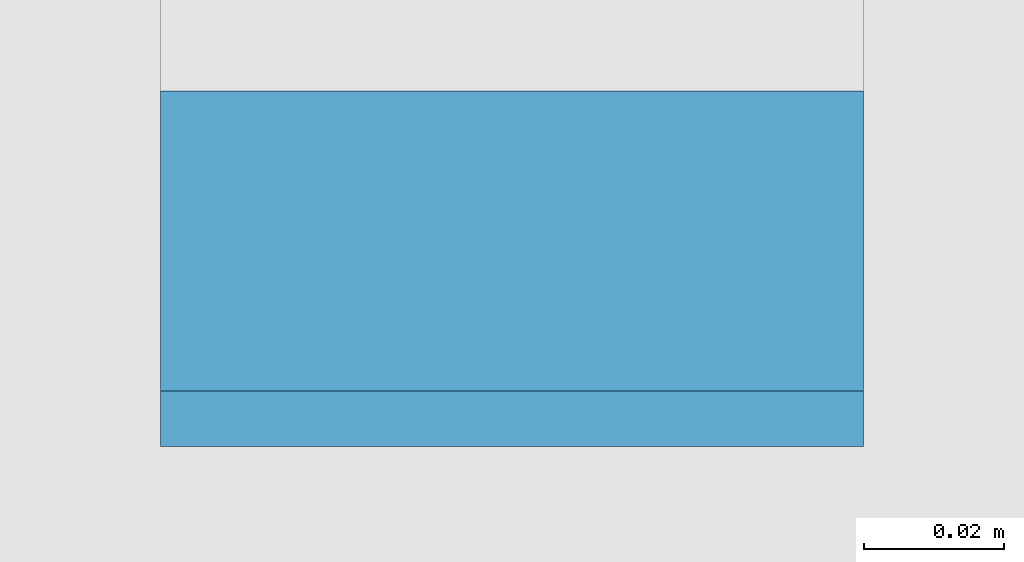
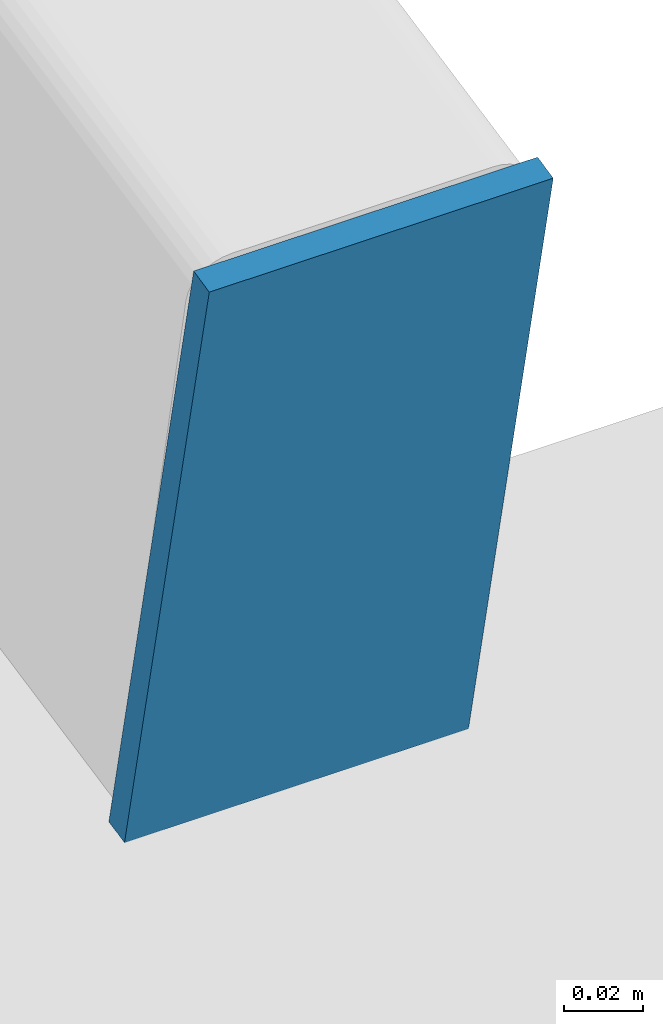
# One storey, part 96 of 121: 1 discrete accessory.
"""IFC4 building model written with IfcOpenShell, lengths in metres."""

from ifc_helpers import new_model, si_unit, direction, frame, origin, origin_2d, place, context, subcontext, project, spatial, rectangle, extrude, material, material_profile, profile_set, type_object, element, save


model = new_model("IFC4")

# Units and contexts
model_context = context("Model", 3, precision=1e-05, world=origin(), true_north=direction((0.0, 1.0)))
body_context = subcontext(model_context, "Body", "Model", "MODEL_VIEW")
ifc_project = project(units=[si_unit("LENGTHUNIT", "METRE"), si_unit("AREAUNIT", "SQUARE_METRE"), si_unit("VOLUMEUNIT", "CUBIC_METRE"), si_unit("PLANEANGLEUNIT", "RADIAN"), si_unit("MASSUNIT", "GRAM", prefix="KILO")], contexts=[model_context])

# Site, building, storey
site_placement = place(None, origin())
site = spatial("IfcSite", under=ifc_project, at=site_placement, CompositionType="ELEMENT")
building_placement = place(site_placement, origin())
building = spatial("IfcBuilding", under=site, at=building_placement, Name="Ardhachandra Cancer Care Centre", CompositionType="ELEMENT")
storey_placement = place(building_placement, frame((0.0, 0.0, 9.0)))
storey = spatial("IfcBuildingStorey", under=building, at=storey_placement, Name="L02", CompositionType="ELEMENT", Elevation=9.0)

# Discrete accessory
ifc_material = material(Name="Galvanised flat steel (Steel E250 (IS 2062))", Category="steel")
ifc_material_profile = material_profile(ifc_material, rectangle(XDim=0.10009765625, YDim=0.199951171875, at=origin_2d()), Name="Rafter end plate 200 x 100 x 8")
ifc_profile_set = profile_set([ifc_material_profile], Name="Galvanised flat steel (Steel E250 (IS 2062))")
discrete_accessory_type = type_object("IfcDiscreteAccessoryType", Name="Rafter end plate 200 x 100 x 8", PredefinedType="BRACKET", material=ifc_profile_set)
discrete_accessory_placement = place(storey_placement, frame((41.60009765625, 38.18017578125, 0.298095703125), z_axis=(0.0, -0.976900017396, -0.213696878805), x_axis=(1.0, 0.0, 0.0)))
element("IfcDiscreteAccessory", 1, at=discrete_accessory_placement, inside=storey, type_object=discrete_accessory_type, Name="Rafter end plate T2a.12.1", PredefinedType="BRACKET", context=body_context, shape_type="SweptSolid", body=[
    extrude(rectangle(XDim=0.10009765625, YDim=0.199951171875, at=origin_2d()), origin(), (0.0, 0.0, 1.0), 0.008056640625),
])

save(model, "model.ifc")
